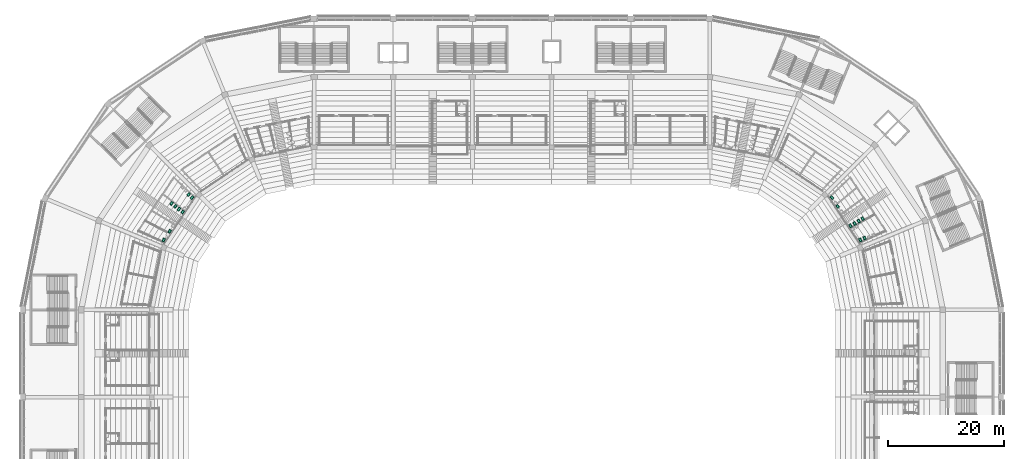
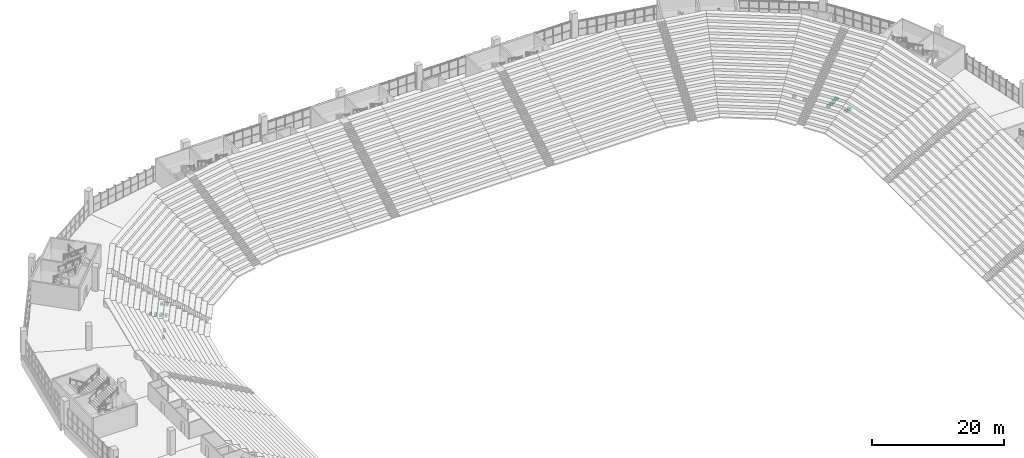
# One storey, part 244 of 249: 16 sanitary terminals.
"""IFC4 building model written with IfcOpenShell, lengths in metres."""

from ifc_helpers import new_model, si_unit, direction, frame, origin, origin_2d, place, context, subcontext, project, spatial, rectangle, extrude, material, type_object, element, save


model = new_model("IFC4")

# Units and contexts
model_context = context("Model", 3, precision=1e-05, world=origin(), true_north=direction((0.0, 1.0)))
body_context = subcontext(model_context, "Body", "Model", "MODEL_VIEW")
ifc_project = project(units=[si_unit("LENGTHUNIT", "METRE"), si_unit("AREAUNIT", "SQUARE_METRE"), si_unit("VOLUMEUNIT", "CUBIC_METRE"), si_unit("PLANEANGLEUNIT", "RADIAN"), si_unit("MASSUNIT", "GRAM", prefix="KILO")], contexts=[model_context])

# Site, building, storey
site_placement = place(None, origin())
site = spatial("IfcSite", under=ifc_project, at=site_placement, CompositionType="ELEMENT")
building_placement = place(site_placement, origin())
building = spatial("IfcBuilding", under=site, at=building_placement, Name="Ogive Plaza Stadium", CompositionType="ELEMENT")
storey_placement = place(building_placement, frame((0.0, 0.0, 13.5)))
storey = spatial("IfcBuildingStorey", under=building, at=storey_placement, Name="L03", CompositionType="ELEMENT", Elevation=13.5)

# Sanitary terminals
ifc_material = material(Name="Vitreous china", Category="ceramic")
sanitary_terminal_type = type_object("IfcSanitaryTerminalType", Name="Water closet", PredefinedType="TOILETPAN", material=ifc_material)
for number, where, z_axis, x_axis, name in (
    (1, (-54.95068359375, 71.769775390625, 0.0), (0.0, 0.0, 1.0), (-0.728841970378, 0.684681956982, 0.0), "Water closet L03-119"),
    (2, (-55.533935546875, 72.317626953125, 0.0), (0.0, 0.0, 1.0), (-0.728841970378, 0.684681956982, 0.0), "Water closet L03-119"),
    (3, (59.820556640625, 64.481689453125, 0.0), (0.0, 0.0, 1.0), (0.911479393211, 0.411345737491, 0.0), "Water closet L03-147"),
    (4, (60.5498046875, 64.810791015625, 0.0), (0.0, 0.0, 1.0), (0.911479393211, 0.411345737491, 0.0), "Water closet L03-147"),
    (5, (-56.56494140625, 69.3037109375, 0.0), (0.0, 0.0, 1.0), (-0.795627871822, 0.605785679576, 0.0), "Water closet L03-120"),
    (6, (-57.201416015625, 69.788330078125, 0.0), (0.0, 0.0, 1.0), (-0.795627871822, 0.605785679576, 0.0), "Water closet L03-120"),
    (7, (-57.837890625, 70.27294921875, 0.0), (0.0, 0.0, 1.0), (-0.795627871822, 0.605785679576, 0.0), "Water closet L03-120"),
    (8, (-58.474609375, 70.7578125, 0.0), (0.0, 0.0, 1.0), (-0.795627871822, 0.605785679576, 0.0), "Water closet L03-120"),
    (9, (58.159912109375, 66.916748046875, 0.0), (0.0, 0.0, 1.0), (0.864146595323, 0.503240163134, 0.0), "Water closet L03-148"),
    (10, (58.851318359375, 67.3193359375, 0.0), (0.0, 0.0, 1.0), (0.864146595323, 0.503240163134, 0.0), "Water closet L03-148"),
    (11, (59.54248046875, 67.721923828125, 0.0), (0.0, 0.0, 1.0), (0.864146595323, 0.503240163134, 0.0), "Water closet L03-148"),
    (12, (60.23388671875, 68.12451171875, 0.0), (0.0, 0.0, 1.0), (0.864146595323, 0.503240163134, 0.0), "Water closet L03-148"),
    (13, (-58.802978515625, 65.974609375, 0.0), (0.0, 0.0, 1.0), (-0.883725608969, 0.468005393188, 0.0), "Water closet L03-121"),
    (14, (-59.820556640625, 64.481689453125, 0.0), (0.0, 0.0, 1.0), (-0.911479393211, 0.411345737491, 0.0), "Water closet L03-122"),
    (15, (55.940673828125, 70.25830078125, 0.0), (0.0, 0.0, 1.0), (0.77056775318, 0.637358092252, 0.0), "Water closet L03-149"),
    (16, (54.95068359375, 71.769775390625, 0.0), (0.0, 0.0, 1.0), (0.728841970378, 0.684681956982, 0.0), "Water closet L03-150"),
):
    element("IfcSanitaryTerminal", number, at=place(storey_placement, frame(where, z_axis=z_axis, x_axis=x_axis)), inside=storey, type_object=sanitary_terminal_type, Name=name, PredefinedType="TOILETPAN", context=body_context, shape_type="SweptSolid", body=[
        extrude(rectangle(XDim=0.39990234375, YDim=0.60009765625, at=origin_2d()), origin(), (0.0, 0.0, 1.0), 0.39990234375),
    ])

save(model, "model.ifc")
